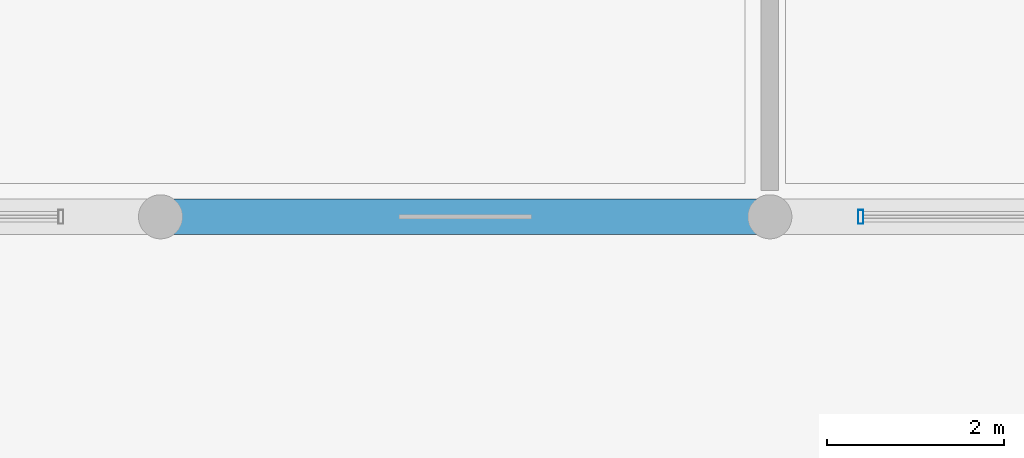
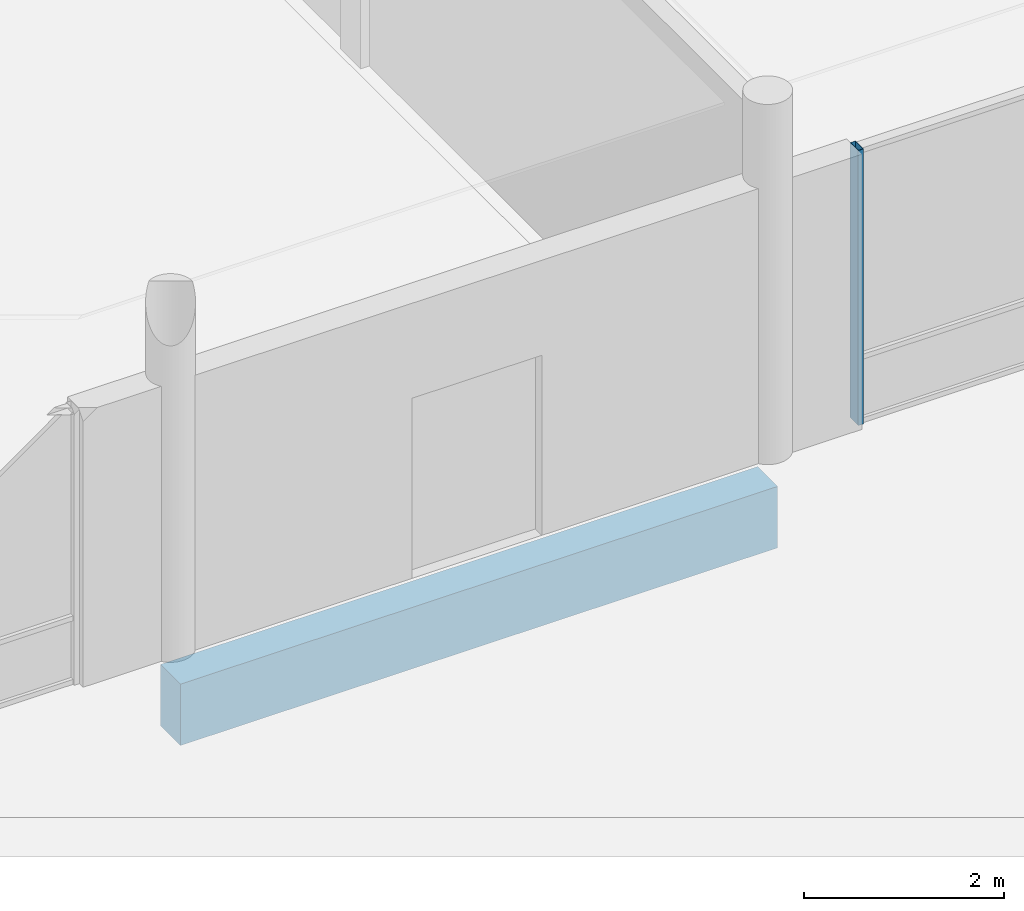
# One storey, part 55 of 233: 1 beam, 1 member, 1 element without a shape of its own.
"""IFC4 building model written with IfcOpenShell, lengths in metres."""

import ifcopenshell
import ifcopenshell.guid

model = None  # the IFC model being written
_history = None  # IfcOwnerHistory: only IFC2X3 demands one
_inside = {}  # id of a spatial element -> (the spatial element, [elements in it])
_under = {}  # id of a project, library or spatial element -> (it, [spatial elements below it])
_declared = {}  # id of a project -> (the project, [libraries it declares])
_typed = {}  # id of a type object -> (the type object, [elements of that type])
_made_of = {}  # id of a material, layer set ... -> (it, [elements and type objects made of it])


def new_model(schema):
    """Start an empty IFC model of exactly this schema.

    Asked for "IFC4X3", IfcOpenShell would pick the latest addendum, in which some entities
    have other attributes; the version numbers below select the first issue.
    IFC2X3 requires an IfcOwnerHistory on every rooted entity: one is made here for all.
    """
    global model, _history
    if schema == "IFC4X3":
        model = ifcopenshell.file(schema_version=(4, 3, 0, 0))
    else:
        model = ifcopenshell.file(schema=schema)
    _inside.clear()
    _under.clear()
    _declared.clear()
    _typed.clear()
    _made_of.clear()
    _history = None
    if model.schema == "IFC2X3":
        org = make("IfcOrganization", Name="unknown")
        user = make(
            "IfcPersonAndOrganization",
            ThePerson=make("IfcPerson", FamilyName="unknown"),
            TheOrganization=org,
        )
        app = make(
            "IfcApplication",
            ApplicationDeveloper=org,
            Version="unknown",
            ApplicationFullName="unknown",
            ApplicationIdentifier="unknown",
        )
        _history = make(
            "IfcOwnerHistory",
            OwningUser=user,
            OwningApplication=app,
            ChangeAction="ADDED",
            CreationDate=0,
        )
    return model


def make(cls, **values):
    """One entity of the class cls with the attributes given. An attribute that is None is left unset."""
    return model.create_entity(
        cls, **{name: value for name, value in values.items() if value is not None}
    )


def rooted(cls, **values):
    """An entity with a GlobalId (a new one), such as an element, a storey or a relation."""
    return make(cls, GlobalId=ifcopenshell.guid.new(), OwnerHistory=_history, **values)


def si_unit(unit_type, name, prefix=None):
    """IfcSIUnit, for example si_unit("LENGTHUNIT", "METRE", prefix="MILLI")."""
    return make("IfcSIUnit", UnitType=unit_type, Prefix=prefix, Name=name)


def assignment(units):
    """IfcUnitAssignment: the units of a project."""
    return None if units is None else make("IfcUnitAssignment", Units=units)


def point(xyz):
    """IfcCartesianPoint."""
    return None if xyz is None else make("IfcCartesianPoint", Coordinates=xyz)


def direction(xyz):
    """IfcDirection."""
    return None if xyz is None else make("IfcDirection", DirectionRatios=xyz)


def frame(location, z_axis=None, x_axis=None):
    """IfcAxis2Placement3D, a coordinate frame: its origin and axes. An axis left out is left unset."""
    return make(
        "IfcAxis2Placement3D",
        Location=point(location),
        Axis=direction(z_axis),
        RefDirection=direction(x_axis),
    )


def frame_2d(location, x_axis=None):
    """IfcAxis2Placement2D, a coordinate frame in the plane: its origin and x axis."""
    return make(
        "IfcAxis2Placement2D", Location=point(location), RefDirection=direction(x_axis)
    )


def origin():
    """The frame at (0, 0, 0) with its axes left unset."""
    return frame((0.0, 0.0, 0.0))


def origin_2d():
    """The frame at (0, 0) in the plane with its x axis left unset."""
    return frame_2d((0.0, 0.0))


def place(relative_to, where):
    """IfcLocalPlacement: puts the frame where relative to a parent placement (None: the world)."""
    return make(
        "IfcLocalPlacement", PlacementRelTo=relative_to, RelativePlacement=where
    )


def context(
    kind, dimensions, precision=None, world=None, true_north=None, identifier=None
):
    """IfcGeometricRepresentationContext, for example the 3D "Model" context."""
    return make(
        "IfcGeometricRepresentationContext",
        ContextIdentifier=identifier,
        ContextType=kind,
        CoordinateSpaceDimension=dimensions,
        Precision=precision,
        WorldCoordinateSystem=world,
        TrueNorth=true_north,
    )


def subcontext(parent, identifier, kind, view, scale=None):
    """IfcGeometricRepresentationSubContext, for example "Body" below "Model"."""
    return make(
        "IfcGeometricRepresentationSubContext",
        ContextIdentifier=identifier,
        ContextType=kind,
        ParentContext=parent,
        TargetScale=scale,
        TargetView=view,
    )


def project(units=None, contexts=None):
    """IfcProject with its units and contexts."""
    return rooted(
        "IfcProject",
        Name="project",
        RepresentationContexts=contexts,
        UnitsInContext=assignment(units),
    )


def spatial(cls, under=None, at=None, **own):
    """A site, building, storey or space (cls), placed at a placement, below another one or the project."""
    s = rooted(cls, ObjectPlacement=at, **own)
    if under is not None:
        _under.setdefault(under.id(), (under, []))[1].append(s)
    return s


def profile(cls, at=None, kind="AREA", **sizes):
    """A parametric profile (cls). Its sizes go by their IFC names, for example OverallWidth=200.0."""
    return make(cls, ProfileType=kind, Position=at, **sizes)


def rectangle(**sizes):
    """IfcRectangleProfileDef."""
    return profile("IfcRectangleProfileDef", **sizes)


def hollow_rectangle(**sizes):
    """IfcRectangleHollowProfileDef."""
    return profile("IfcRectangleHollowProfileDef", **sizes)


def extrude(swept, where, along, depth):
    """IfcExtrudedAreaSolid: the profile swept, set in the frame where, extruded along a direction by depth."""
    return make(
        "IfcExtrudedAreaSolid",
        SweptArea=swept,
        Position=where,
        ExtrudedDirection=direction(along),
        Depth=depth,
    )


def shape(context_of_items, identifier, shape_type, items):
    """IfcShapeRepresentation: the items that make up one representation, for example the "Body"."""
    return make(
        "IfcShapeRepresentation",
        ContextOfItems=context_of_items,
        RepresentationIdentifier=identifier,
        RepresentationType=shape_type,
        Items=items,
    )


def material(Name=None, Category=None):
    """IfcMaterial."""
    return make("IfcMaterial", Name=Name, Category=Category)


def material_profile(
    of_material, cross_section, Name=None, Category=None, Priority=None
):
    """IfcMaterialProfile: a cross section and its material."""
    return make(
        "IfcMaterialProfile",
        Name=Name,
        Material=of_material,
        Profile=cross_section,
        Priority=Priority,
        Category=Category,
    )


def profile_set(profiles, Name=None, composite=None):
    """IfcMaterialProfileSet."""
    return make(
        "IfcMaterialProfileSet",
        Name=Name,
        MaterialProfiles=profiles,
        CompositeProfile=composite,
    )


def made_of(thing, what):
    """Note that an element or type object is made of a material, layer set ...; save() writes the relation."""
    if what is not None:
        _made_of.setdefault(what.id(), (what, []))[1].append(thing)
    return thing


def type_object(cls, material=None, **own):
    """A type object (cls), such as IfcWallType, which elements share."""
    return made_of(rooted(cls, **own), material)


def element(
    cls,
    number,
    at=None,
    inside=None,
    cuts=None,
    type_object=None,
    material=None,
    context=None,
    identifier="Body",
    shape_type=None,
    held_by="IfcProductDefinitionShape",
    body=None,
    shapes=None,
    **own,
):
    """One element of the class cls, such as IfcWall. Its Tag is "e" and its number.

    at: its placement. inside: the storey or other place that contains it. cuts: it is an
    opening in that element (IfcRelVoidsElement). A single representation is given by context,
    identifier, shape_type and body (its items); several are given by shapes. held_by: the class
    of the entity that holds the representations. save() writes the other relations.
    """
    e = rooted(cls, Tag="e%d" % number, ObjectPlacement=at, **own)
    if body is not None:
        shapes = [shape(context, identifier, shape_type, body)]
    if shapes is not None:
        e.Representation = make(held_by, Representations=shapes)
    if inside is not None:
        _inside.setdefault(inside.id(), (inside, []))[1].append(e)
    if cuts is not None:
        rooted(
            "IfcRelVoidsElement", RelatingBuildingElement=cuts, RelatedOpeningElement=e
        )
    if type_object is not None:
        _typed.setdefault(type_object.id(), (type_object, []))[1].append(e)
    return made_of(e, material)


def aggregate(whole, parts):
    """IfcRelAggregates: a whole, such as a stair, and the parts it consists of."""
    return rooted("IfcRelAggregates", RelatingObject=whole, RelatedObjects=parts)


def save(model, path):
    """Write the relations noted so far, then the file.

    IfcRelAggregates (storeys below a building ...), IfcRelContainedInSpatialStructure (elements
    in a storey), IfcRelDefinesByType, IfcRelAssociatesMaterial and IfcRelDeclares: one each for
    every whole, place, type object, material and project.
    """
    for whole, parts in _under.values():
        aggregate(whole, parts)
    for where, things in _inside.values():
        rooted(
            "IfcRelContainedInSpatialStructure",
            RelatedElements=things,
            RelatingStructure=where,
        )
    for kind, things in _typed.values():
        rooted("IfcRelDefinesByType", RelatedObjects=things, RelatingType=kind)
    for what, things in _made_of.values():
        rooted("IfcRelAssociatesMaterial", RelatedObjects=things, RelatingMaterial=what)
    for by, libraries in _declared.values():
        rooted("IfcRelDeclares", RelatingContext=by, RelatedDefinitions=libraries)
    model.write(path)


model = new_model("IFC4")

# Units and contexts
model_context = context("Model", 3, precision=1e-05, world=origin(), true_north=direction((0.0, 1.0)))
body_context = subcontext(model_context, "Body", "Model", "MODEL_VIEW")
ifc_project = project(units=[si_unit("LENGTHUNIT", "METRE"), si_unit("AREAUNIT", "SQUARE_METRE"), si_unit("VOLUMEUNIT", "CUBIC_METRE"), si_unit("PLANEANGLEUNIT", "RADIAN"), si_unit("MASSUNIT", "GRAM", prefix="KILO")], contexts=[model_context])

# Site, building, storey
site_placement = place(None, origin())
site = spatial("IfcSite", under=ifc_project, at=site_placement, CompositionType="ELEMENT")
building_placement = place(site_placement, origin())
building = spatial("IfcBuilding", under=site, at=building_placement, Name="Zavelmont Quarter", CompositionType="ELEMENT")
storey_placement = place(building_placement, origin())
storey = spatial("IfcBuildingStorey", under=building, at=storey_placement, Name="L00", CompositionType="ELEMENT", Elevation=0.0)

# Beam
ifc_material_1 = material(Name="Concrete C40/50", Category="concrete")
ifc_material_profile_1 = material_profile(ifc_material_1, rectangle(XDim=0.39990234375, YDim=0.75, at=origin_2d()), Name="RC400X750")
ifc_profile_set_1 = profile_set([ifc_material_profile_1], Name="Concrete C40/50")
beam_type = type_object("IfcBeamType", Name="BM05", PredefinedType="BEAM", material=ifc_profile_set_1)
beam_placement = place(storey_placement, frame((6.89990234375, 62.0, -0.695068359375), z_axis=(1.0, 0.0, 0.0), x_axis=(0.0, 1.0, 0.0)))
element("IfcBeam", 1, at=beam_placement, inside=storey, type_object=beam_type, Name="L00 beam BM05 2/K to 3/K", PredefinedType="BEAM", context=body_context, shape_type="SweptSolid", body=[
    extrude(rectangle(XDim=0.39990234375, YDim=0.75, at=origin_2d()), origin(), (0.0, 0.0, 1.0), 6.900146484375),
])

# Curtain wall, member
ifc_material_2 = material(Name="Thermally broken aluminium and double low-E safety glazing", Category="aluminium")
curtain_wall_type = type_object("IfcCurtainWallType", Name="CW-470X336", PredefinedType="NOTDEFINED", material=ifc_material_2)
curtain_wall_placement = place(storey_placement, origin())
curtain_wall = element("IfcCurtainWall", 2, at=curtain_wall_placement, inside=storey, type_object=curtain_wall_type, Name="L00 unitised curtain wall CW-470X336", PredefinedType="NOTDEFINED")
ifc_material_3 = material(Name="Powder-coated aluminium EN AW-6063-T6", Category="aluminium")
ifc_material_profile_2 = material_profile(ifc_material_3, hollow_rectangle(XDim=0.06005859375, YDim=0.159912109375, WallThickness=0.00390625, at=origin_2d()), Name="CWM60X160")
ifc_profile_set_2 = profile_set([ifc_material_profile_2], Name="Powder-coated aluminium EN AW-6063-T6")
member_type = type_object("IfcMemberType", Name="CWM01", PredefinedType="MULLION", material=ifc_profile_set_2)
member_placement = place(storey_placement, frame((14.830078125, 62.0, 0.0), z_axis=(0.0, 0.0, 1.0), x_axis=(1.0, 0.0, 0.0)))
member = element("IfcMember", 3, at=member_placement, type_object=member_type, Name="CW-470X336 mullion 1", PredefinedType="MULLION", context=body_context, shape_type="SweptSolid", body=[
    extrude(hollow_rectangle(XDim=0.06005859375, YDim=0.159912109375, WallThickness=0.00390625, at=origin_2d()), origin(), (0.0, 0.0, 1.0), 3.360107421875),
])
aggregate(curtain_wall, [member])

save(model, "model.ifc")
